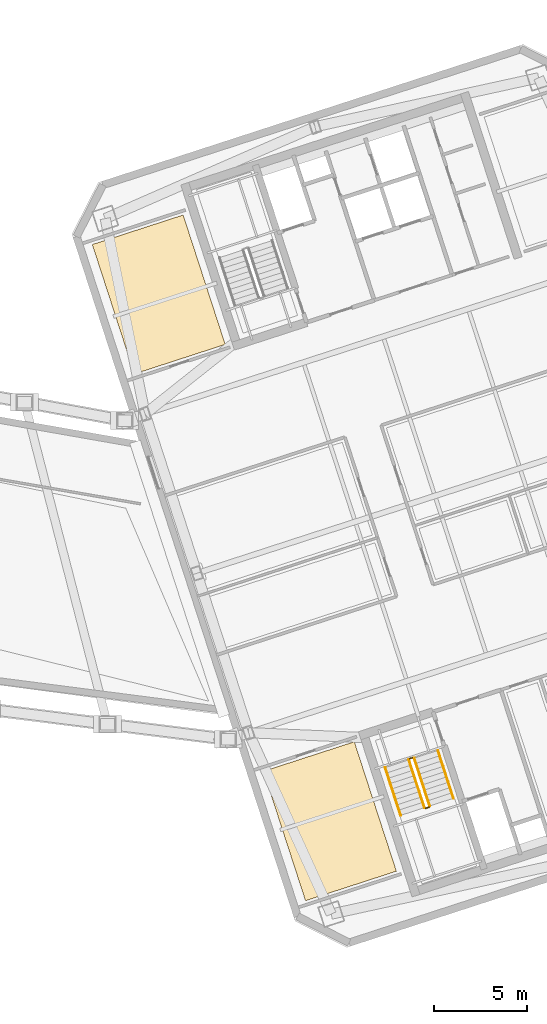
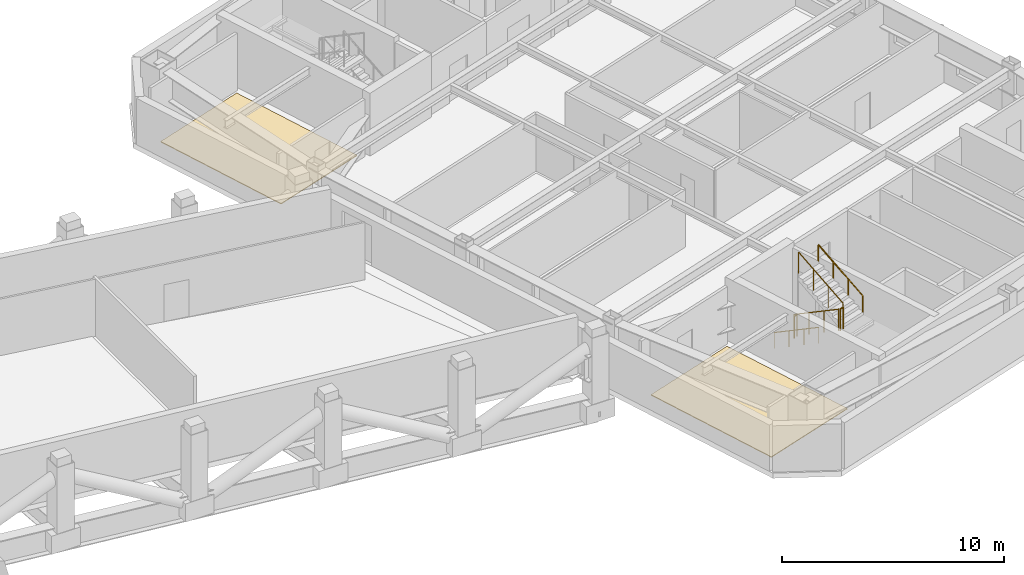
# One storey, part 17 of 19: 6 railings, 2 coverings.
"""IFC4 building model written with IfcOpenShell, lengths in metres."""

from ifc_helpers import new_model, si_unit, direction, frame, origin, origin_2d, place, context, subcontext, project, spatial, polyline, circle, outline, extrude, material, layer, layer_set, type_object, element, save


model = new_model("IFC4")

# Units and contexts
model_context = context("Model", 3, precision=1e-05, world=origin(), true_north=direction((0.0, 1.0)))
body_context = subcontext(model_context, "Body", "Model", "MODEL_VIEW")
ifc_project = project(units=[si_unit("LENGTHUNIT", "METRE"), si_unit("AREAUNIT", "SQUARE_METRE"), si_unit("VOLUMEUNIT", "CUBIC_METRE"), si_unit("PLANEANGLEUNIT", "RADIAN"), si_unit("MASSUNIT", "GRAM", prefix="KILO")], contexts=[model_context])

# Site, building, storey
site_placement = place(None, origin())
site = spatial("IfcSite", under=ifc_project, at=site_placement, CompositionType="ELEMENT")
building_placement = place(site_placement, origin())
building = spatial("IfcBuilding", under=site, at=building_placement, Name="Qiaolan Cultural Towers", CompositionType="ELEMENT")
storey_placement = place(building_placement, frame((0.0, 0.0, 216.199951171875)))
storey = spatial("IfcBuildingStorey", under=building, at=storey_placement, Name="L58", CompositionType="ELEMENT", Elevation=216.199951171875)

# Coverings
ifc_material_1 = material(Name="Honed Terrazzo & Raised Access Flooring", Category="concrete")
ifc_layer = layer(ifc_material_1, 0.0400390625)
ifc_layer_set = layer_set([ifc_layer], Name="Honed Terrazzo & Raised Access Flooring")
covering_type = type_object("IfcCoveringType", Name="COV-FLR-STONE", PredefinedType="FLOORING", material=ifc_layer_set)
covering_1_placement = place(storey_placement, origin())
element("IfcCovering", 1, at=covering_1_placement, inside=storey, type_object=covering_type, Name="L58 Corner Sky Park Cultural Salon Finish Flooring", PredefinedType="FLOORING", context=body_context, shape_type="SweptSolid", body=[
    extrude(outline(polyline([(87.927490234375, 13.843017578125), (85.66845703125, 20.795166015625), (80.78955078125, 19.2099609375), (83.048583984375, 12.2578125), (87.927490234375, 13.843017578125)])), origin(), (0.0, 0.0, 1.0), 0.0400390625),
])
covering_2_placement = place(storey_placement, origin())
element("IfcCovering", 2, at=covering_2_placement, inside=storey, type_object=covering_type, Name="L58 Corner Sky Tea Kitchen Finish Flooring", PredefinedType="FLOORING", context=body_context, shape_type="SweptSolid", body=[
    extrude(outline(polyline([(78.734130859375, 42.136962890625), (76.475341796875, 49.089111328125), (71.596435546875, 47.50390625), (73.855224609375, 40.5517578125), (78.734130859375, 42.136962890625)])), origin(), (0.0, 0.0, 1.0), 0.0400390625),
])

# Railings
ifc_material_2 = material(Name="Galvanized Painted Steel Stair Guardrail", Category="steel")
railing_type_1 = type_object("IfcRailingType", Name="RL-STAIR-GRD", PredefinedType="GUARDRAIL", material=ifc_material_2)
railing_1_placement = place(storey_placement, frame((88.60205078125, 19.82421875, 0.172607421875)))
element("IfcRailing", 3, at=railing_1_placement, inside=storey, type_object=railing_type_1, Name="L58 ST-E1 stair guard 1", PredefinedType="GUARDRAIL", context=body_context, shape_type="SweptSolid", body=[
    extrude(circle(Radius=0.02392578125, at=origin_2d()), frame((0.0, 0.0, 1.17578125), z_axis=(0.267925668498, -0.824471088726, 0.498460891159), x_axis=(0.951043371037, 0.309057448393, 0.0)), (0.0, 0.0, 1.0), 3.114501953125),
    extrude(circle(Radius=0.02099609375, at=origin_2d()), origin(), (0.0, 0.0, 1.0), 1.15185546875),
    extrude(circle(Radius=0.02099609375, at=origin_2d()), frame((0.278076171875, -0.85595703125, 0.517578125)), (0.0, 0.0, 1.0), 1.15185546875),
    extrude(circle(Radius=0.02099609375, at=origin_2d()), frame((0.556396484375, -1.7119140625, 1.034912109375)), (0.0, 0.0, 1.0), 1.15185546875),
    extrude(circle(Radius=0.02099609375, at=origin_2d()), frame((0.83447265625, -2.56787109375, 1.552490234375)), (0.0, 0.0, 1.0), 1.15185546875),
])
railing_2_placement = place(storey_placement, frame((89.49951171875, 17.224365234375, 1.72509765625)))
element("IfcRailing", 4, at=railing_2_placement, inside=storey, type_object=railing_type_1, Name="L58 ST-E1 stair guard 2", PredefinedType="GUARDRAIL", context=body_context, shape_type="SweptSolid", body=[
    extrude(circle(Radius=0.02392578125, at=origin_2d()), frame((0.0, 0.0, 1.17578125), z_axis=(0.951096855055, 0.308892816854, 0.0), x_axis=(-0.308892816854, 0.951096855055, 0.0)), (0.0, 0.0, 1.0), 0.199951171875),
    extrude(circle(Radius=0.02099609375, at=origin_2d()), origin(), (0.0, 0.0, 1.0), 1.15185546875),
    extrude(circle(Radius=0.02099609375, at=origin_2d()), frame((0.190185546875, 0.061767578125, 0.0)), (0.0, 0.0, 1.0), 1.15185546875),
])
railing_3_placement = place(storey_placement, frame((89.721923828125, 17.34912109375, 1.8974609375)))
element("IfcRailing", 5, at=railing_3_placement, inside=storey, type_object=railing_type_1, Name="L58 ST-E1 stair guard 3", PredefinedType="GUARDRAIL", context=body_context, shape_type="SweptSolid", body=[
    extrude(circle(Radius=0.02392578125, at=origin_2d()), frame((0.0, 0.0, 1.17578125), z_axis=(-0.267925668498, 0.824471088726, 0.498460891159), x_axis=(-0.951043371037, -0.309057448393, 0.0)), (0.0, 0.0, 1.0), 3.114501953125),
    extrude(circle(Radius=0.02099609375, at=origin_2d()), origin(), (0.0, 0.0, 1.0), 1.15185546875),
    extrude(circle(Radius=0.02099609375, at=origin_2d()), frame((-0.278076171875, 0.85595703125, 0.517578125)), (0.0, 0.0, 1.0), 1.15185546875),
    extrude(circle(Radius=0.02099609375, at=origin_2d()), frame((-0.556396484375, 1.7119140625, 1.034912109375)), (0.0, 0.0, 1.0), 1.15185546875),
    extrude(circle(Radius=0.02099609375, at=origin_2d()), frame((-0.83447265625, 2.56787109375, 1.552490234375)), (0.0, 0.0, 1.0), 1.15185546875),
])
railing_4_placement = place(storey_placement, frame((88.63427734375, 19.88720703125, 0.0)))
element("IfcRailing", 6, at=railing_4_placement, inside=storey, type_object=railing_type_1, Name="L58 ST-E1 stair guard 4", PredefinedType="GUARDRAIL", context=body_context, shape_type="SweptSolid", body=[
    extrude(circle(Radius=0.02392578125, at=origin_2d()), frame((0.0, 0.0, 1.17578125), z_axis=(0.951096855055, 0.308892816854, 0.0), x_axis=(-0.308892816854, 0.951096855055, 0.0)), (0.0, 0.0, 1.0), 0.199951171875),
    extrude(circle(Radius=0.02099609375, at=origin_2d()), origin(), (0.0, 0.0, 1.0), 1.15185546875),
    extrude(circle(Radius=0.02099609375, at=origin_2d()), frame((0.190185546875, 0.061767578125, 0.0)), (0.0, 0.0, 1.0), 1.15185546875),
])
ifc_material_3 = material(Name="Stainless Steel S30408 Tubular Handrail", Category="steel")
railing_type_2 = type_object("IfcRailingType", Name="RL-STAIR-HR", PredefinedType="HANDRAIL", material=ifc_material_3)
railing_5_placement = place(storey_placement, frame((87.32763671875, 19.41015625, 0.172607421875)))
element("IfcRailing", 7, at=railing_5_placement, inside=storey, type_object=railing_type_2, Name="L58 ST-E1 stair handrail 1", PredefinedType="HANDRAIL", context=body_context, shape_type="SweptSolid", body=[
    extrude(circle(Radius=0.02392578125, at=origin_2d()), frame((0.0, 0.0, 0.8759765625), z_axis=(0.267925668498, -0.824471088726, 0.498460891159), x_axis=(0.951043371037, 0.309057448393, 0.0)), (0.0, 0.0, 1.0), 3.114501953125),
    extrude(circle(Radius=0.02099609375, at=origin_2d()), origin(), (0.0, 0.0, 1.0), 0.851806640625),
    extrude(circle(Radius=0.02099609375, at=origin_2d()), frame((0.278076171875, -0.85595703125, 0.517578125)), (0.0, 0.0, 1.0), 0.851806640625),
    extrude(circle(Radius=0.02099609375, at=origin_2d()), frame((0.556396484375, -1.7119140625, 1.034912109375)), (0.0, 0.0, 1.0), 0.851806640625),
    extrude(circle(Radius=0.02099609375, at=origin_2d()), frame((0.83447265625, -2.56787109375, 1.552490234375)), (0.0, 0.0, 1.0), 0.851806640625),
])
railing_6_placement = place(storey_placement, frame((90.996337890625, 17.76318359375, 1.8974609375)))
element("IfcRailing", 8, at=railing_6_placement, inside=storey, type_object=railing_type_2, Name="L58 ST-E1 stair handrail 2", PredefinedType="HANDRAIL", context=body_context, shape_type="SweptSolid", body=[
    extrude(circle(Radius=0.02392578125, at=origin_2d()), frame((0.0, 0.0, 0.8759765625), z_axis=(-0.267925668498, 0.824471088726, 0.498460891159), x_axis=(-0.951043371037, -0.309057448393, 0.0)), (0.0, 0.0, 1.0), 3.114501953125),
    extrude(circle(Radius=0.02099609375, at=origin_2d()), origin(), (0.0, 0.0, 1.0), 0.851806640625),
    extrude(circle(Radius=0.02099609375, at=origin_2d()), frame((-0.278076171875, 0.85595703125, 0.517578125)), (0.0, 0.0, 1.0), 0.851806640625),
    extrude(circle(Radius=0.02099609375, at=origin_2d()), frame((-0.556396484375, 1.7119140625, 1.034912109375)), (0.0, 0.0, 1.0), 0.851806640625),
    extrude(circle(Radius=0.02099609375, at=origin_2d()), frame((-0.83447265625, 2.56787109375, 1.552490234375)), (0.0, 0.0, 1.0), 0.851806640625),
])

save(model, "model.ifc")
